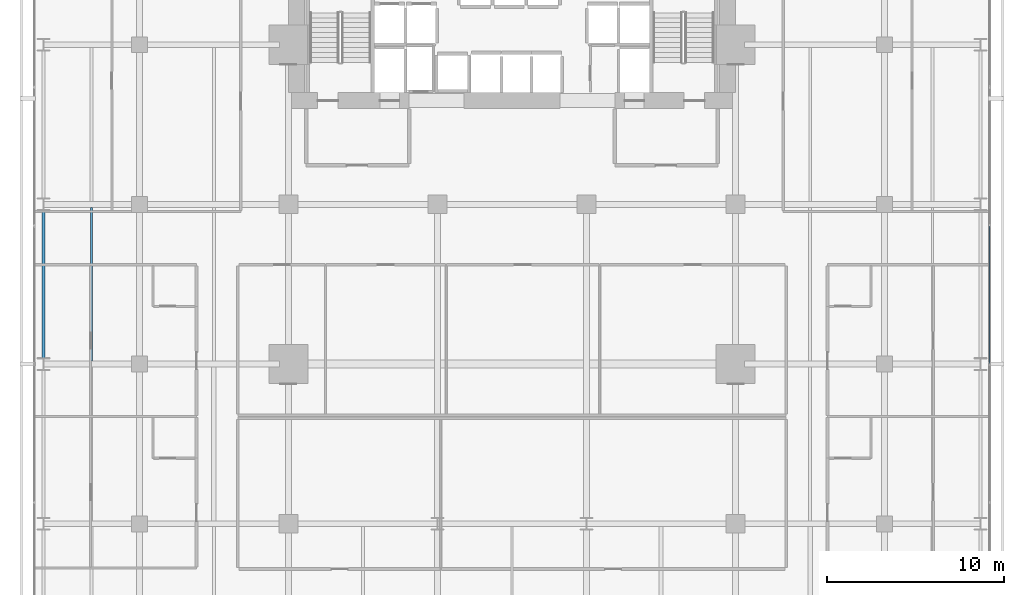
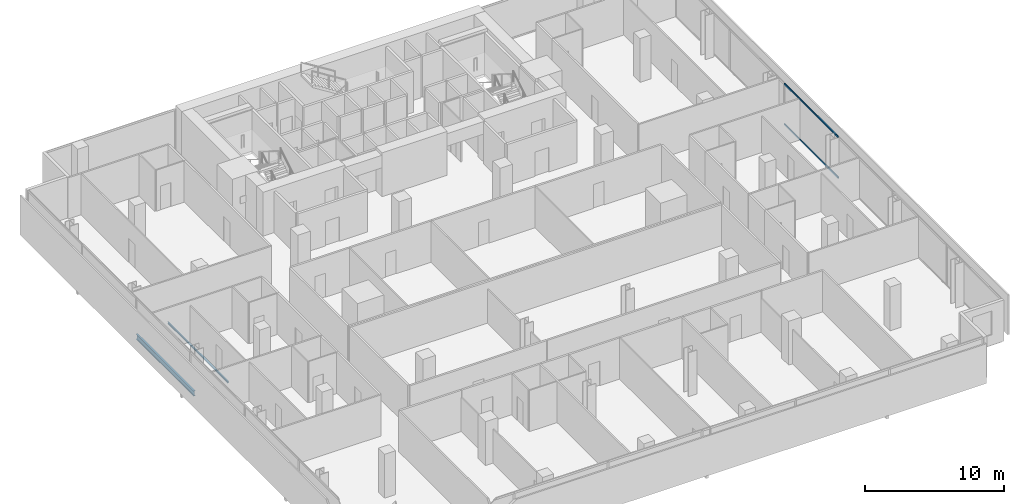
# One storey, part 20 of 39: 2 beams, 2 members, 1 element without a shape of its own.
"""IFC4 building model written with IfcOpenShell, lengths in metres."""

from ifc_helpers import new_model, si_unit, direction, frame, origin, origin_2d, place, context, subcontext, project, spatial, hollow_rectangle, i_section, extrude, material, layer, layer_set, material_profile, profile_set, type_object, element, aggregate, save


model = new_model("IFC4")

# Units and contexts
model_context = context("Model", 3, precision=1e-05, world=origin(), true_north=direction((0.0, 1.0)))
body_context = subcontext(model_context, "Body", "Model", "MODEL_VIEW")
ifc_project = project(units=[si_unit("LENGTHUNIT", "METRE"), si_unit("AREAUNIT", "SQUARE_METRE"), si_unit("VOLUMEUNIT", "CUBIC_METRE"), si_unit("PLANEANGLEUNIT", "RADIAN"), si_unit("MASSUNIT", "GRAM", prefix="KILO")], contexts=[model_context])

# Site, building, storey
site_placement = place(None, origin())
site = spatial("IfcSite", under=ifc_project, at=site_placement, CompositionType="ELEMENT")
building_placement = place(site_placement, origin())
building = spatial("IfcBuilding", under=site, at=building_placement, Name="Maruvema Waterfront Hotel and Observation Tower", CompositionType="ELEMENT")
storey_placement = place(building_placement, frame((0.0, 0.0, 69.300048828125)))
storey = spatial("IfcBuildingStorey", under=building, at=storey_placement, Name="L16", CompositionType="ELEMENT", Elevation=69.300048828125)

# Curtain wall, members
ifc_material_1 = material(Name="Anodised bronze aluminium and solar-control low-E IGU", Category="aluminium")
ifc_layer = layer(ifc_material_1, 0.159912109375, Name="Zone 1 Bronze Inner Thermal Curtain Wall System CW-02")
ifc_layer_set = layer_set([ifc_layer], Name="Anodised bronze aluminium and solar-control low-E IGU")
curtain_wall_type = type_object("IfcCurtainWallType", Name="Zone 1 Bronze Inner Thermal Curtain Wall System CW-02", PredefinedType="USERDEFINED", material=ifc_layer_set)
curtain_wall_placement = place(storey_placement, origin())
curtain_wall = element("IfcCurtainWall", 1, at=curtain_wall_placement, inside=storey, type_object=curtain_wall_type, Name="L16 Curtain Wall CW-L16-E", ObjectType="UNITISED CURTAIN WALL", PredefinedType="USERDEFINED")
ifc_material_2 = material(Name="Anodised architectural bronze aluminium", Category="aluminium")
ifc_material_profile_1 = material_profile(ifc_material_2, hollow_rectangle(XDim=0.070068359375, YDim=0.14990234375, WallThickness=0.00390625, at=origin_2d()), Name="ALU-T70x150")
ifc_profile_set_1 = profile_set([ifc_material_profile_1], Name="Anodised architectural bronze aluminium")
member_type = type_object("IfcMemberType", Name="Curtain Wall Horizontal Transom ALU-T70x150", PredefinedType="USERDEFINED", material=ifc_profile_set_1)
member_1_placement = place(storey_placement, frame((64.719970703125, 27.030029296875, 0.030029296875), z_axis=(0.0, 1.0, 0.0), x_axis=(-1.0, 0.0, 0.0)))
member_1 = element("IfcMember", 2, at=member_1_placement, type_object=member_type, Name="CW-02 transom 4.1", ObjectType="TRANSOM", PredefinedType="USERDEFINED", context=body_context, shape_type="SweptSolid", body=[
    extrude(hollow_rectangle(XDim=0.070068359375, YDim=0.14990234375, WallThickness=0.00390625, at=origin_2d()), origin(), (0.0, 0.0, 1.0), 7.739990234375),
])
member_2_placement = place(storey_placement, frame((64.719970703125, 27.030029296875, 3.579833984375), z_axis=(0.0, 1.0, 0.0), x_axis=(-1.0, 0.0, 0.0)))
member_2 = element("IfcMember", 3, at=member_2_placement, type_object=member_type, Name="CW-02 transom 4.2", ObjectType="TRANSOM", PredefinedType="USERDEFINED", context=body_context, shape_type="SweptSolid", body=[
    extrude(hollow_rectangle(XDim=0.070068359375, YDim=0.14990234375, WallThickness=0.00390625, at=origin_2d()), origin(), (0.0, 0.0, 1.0), 7.739990234375),
])
aggregate(curtain_wall, [member_1, member_2])

# Beams
ifc_material_3 = material(Name="Steel ASTM A572 Grade 50", Category="steel")
ifc_material_profile_2 = material_profile(ifc_material_3, i_section(OverallWidth=0.153076171875, OverallDepth=0.455078125, WebThickness=0.008056640625, FlangeThickness=0.01318359375, FilletRadius=0.014892578125, at=origin_2d()), Name="W460x60.0")
ifc_profile_set_2 = profile_set([ifc_material_profile_2], Name="Steel ASTM A572 Grade 50")
beam_type_1 = type_object("IfcBeamType", Name="Perimeter Spandrel Beam W460x60.0", PredefinedType="SPANDREL", material=ifc_profile_set_2)
beam_1_placement = place(storey_placement, frame((11.39990234375, 27.35009765625, -0.467529296875), z_axis=(0.0, 1.0, 0.0), x_axis=(-1.0, 0.0, 0.0)))
element("IfcBeam", 4, at=beam_1_placement, inside=storey, type_object=beam_type_1, Name="L16 Floor Girder NS-03", PredefinedType="SPANDREL", context=body_context, shape_type="SweptSolid", body=[
    extrude(i_section(OverallWidth=0.153076171875, OverallDepth=0.455078125, WebThickness=0.008056640625, FlangeThickness=0.01318359375, FilletRadius=0.014892578125, at=origin_2d()), origin(), (0.0, 0.0, 1.0), 8.2998046875),
])
ifc_material_4 = material(Name="Steel ASTM A572 Grade 50", Category="steel")
ifc_material_profile_3 = material_profile(ifc_material_4, i_section(OverallWidth=0.10009765625, OverallDepth=0.153076171875, WebThickness=0.005859375, FlangeThickness=0.007080078125, FilletRadius=0.008056640625, at=origin_2d()), Name="W150x18.0")
ifc_profile_set_3 = profile_set([ifc_material_profile_3], Name="Steel ASTM A572 Grade 50")
beam_type_2 = type_object("IfcBeamType", Name="Secondary Floor Joist W150x18.0", PredefinedType="JOIST", material=ifc_profile_set_3)
beam_2_placement = place(storey_placement, frame((14.10009765625, 27.16357421875, -0.316650390625), z_axis=(0.0, 1.0, 0.0), x_axis=(-1.0, 0.0, 0.0)))
element("IfcBeam", 5, at=beam_2_placement, inside=storey, type_object=beam_type_2, Name="L16 Secondary Floor Joist JS-03", PredefinedType="JOIST", context=body_context, shape_type="SweptSolid", body=[
    extrude(i_section(OverallWidth=0.10009765625, OverallDepth=0.153076171875, WebThickness=0.005859375, FlangeThickness=0.007080078125, FilletRadius=0.008056640625, at=origin_2d()), origin(), (0.0, 0.0, 1.0), 8.6728515625),
])

save(model, "model.ifc")
